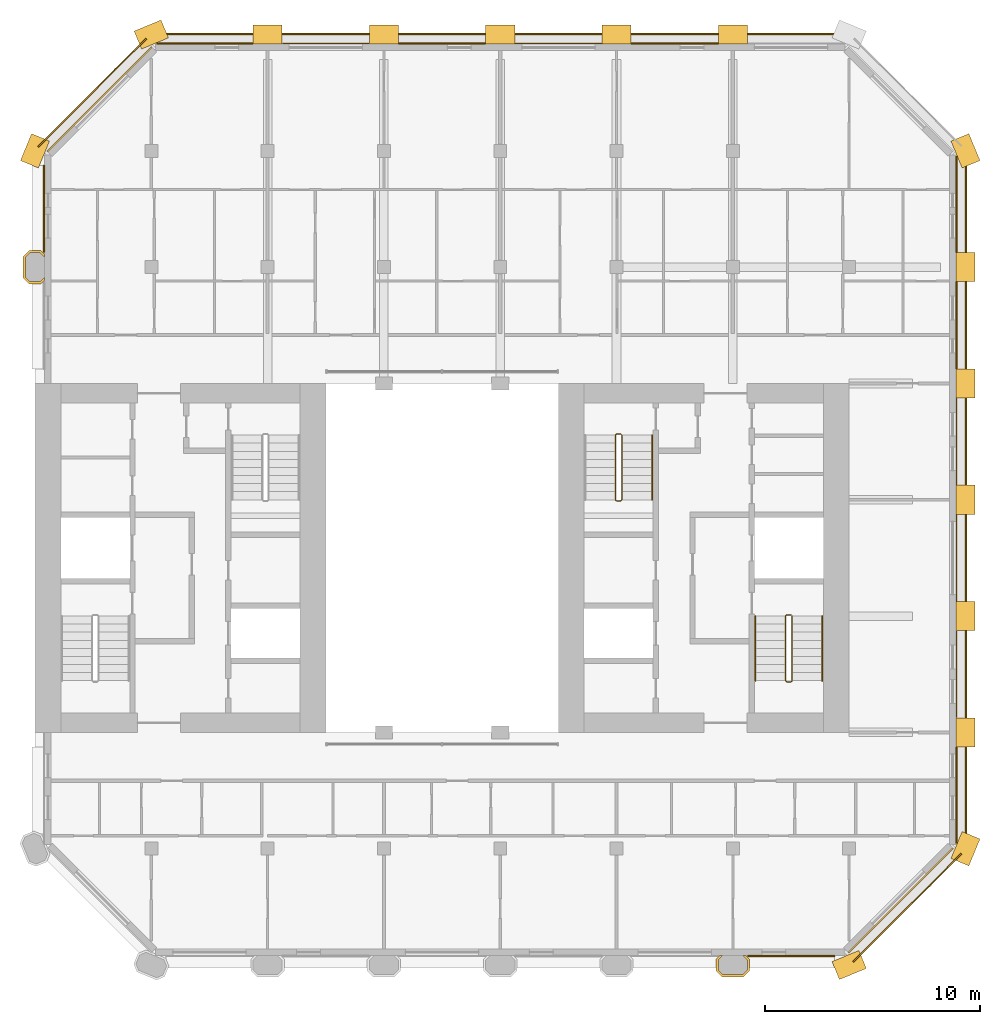
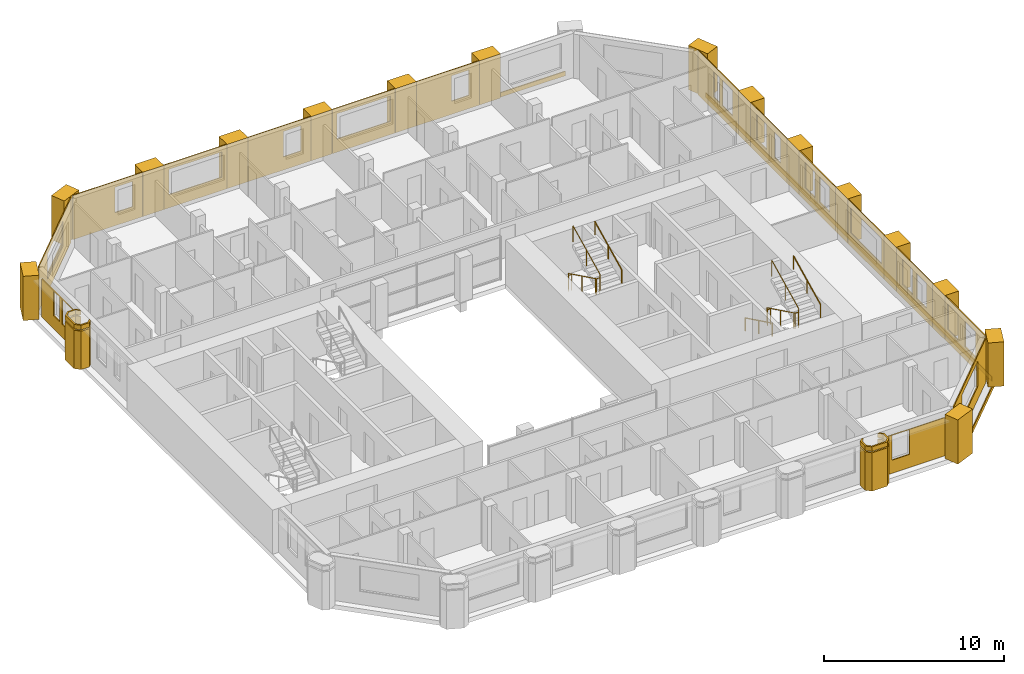
# One storey, part 12 of 13: 38 coverings, 5 railings.
"""IFC4 building model written with IfcOpenShell, lengths in metres."""

from ifc_helpers import new_model, si_unit, direction, frame, frame_2d, origin, origin_2d, place, context, subcontext, project, spatial, polyline, rectangle, circle, outline, extrude, material, layer, layer_set, type_object, element, save


model = new_model("IFC4")

# Units and contexts
model_context = context("Model", 3, precision=1e-05, world=origin(), true_north=direction((0.0, 1.0)))
body_context = subcontext(model_context, "Body", "Model", "MODEL_VIEW")
ifc_project = project(units=[si_unit("LENGTHUNIT", "METRE"), si_unit("AREAUNIT", "SQUARE_METRE"), si_unit("VOLUMEUNIT", "CUBIC_METRE"), si_unit("PLANEANGLEUNIT", "RADIAN"), si_unit("MASSUNIT", "GRAM", prefix="KILO")], contexts=[model_context])

# Site, building, storey
site_placement = place(None, origin())
site = spatial("IfcSite", under=ifc_project, at=site_placement, CompositionType="ELEMENT")
building_placement = place(site_placement, origin())
building = spatial("IfcBuilding", under=site, at=building_placement, Name="Tabaq Tower and Sports Hall", CompositionType="ELEMENT")
storey_placement = place(building_placement, frame((0.0, 0.0, 295.0)))
storey = spatial("IfcBuildingStorey", under=building, at=storey_placement, Name="L73", CompositionType="ELEMENT", Elevation=295.0)

# Coverings
ifc_material_1 = material(Name="Precast concrete C60/75", Category="concrete")
ifc_layer_1 = layer(ifc_material_1, 0.10009765625)
ifc_layer_set_1 = layer_set([ifc_layer_1], Name="Column cladding 100")
covering_type_1 = type_object("IfcCoveringType", Name="Column cladding 100", PredefinedType="CLADDING", material=ifc_layer_set_1)
covering_1_placement = place(storey_placement, origin())
element("IfcCovering", 1, at=covering_1_placement, inside=storey, type_object=covering_type_1, Name="Column cladding L73 PC-2H-R2", PredefinedType="CLADDING", context=body_context, shape_type="SweptSolid", body=[
    extrude(outline(polyline([(5.1337890625, 37.025390625), (4.850341796875, 37.30859375), (4.850341796875, 38.291259765625), (5.1337890625, 38.57470703125), (5.666259765625, 38.57470703125), (5.849609375, 38.391357421875), (5.849609375, 38.250732421875), (5.625244140625, 38.475341796875), (5.1748046875, 38.475341796875), (4.94970703125, 38.250244140625), (4.94970703125, 37.349853515625), (5.1748046875, 37.124755859375), (5.625244140625, 37.124755859375), (5.849609375, 37.349365234375), (5.849609375, 37.208740234375), (5.666259765625, 37.025390625), (5.1337890625, 37.025390625)])), origin(), (0.0, 0.0, 1.0), 2.60009765625),
])
covering_2_placement = place(storey_placement, frame((0.0, 0.0, 2.699951171875)))
element("IfcCovering", 2, at=covering_2_placement, inside=storey, type_object=covering_type_1, Name="Column cladding L73 PC-2H-R2 2", PredefinedType="CLADDING", context=body_context, shape_type="SweptSolid", body=[
    extrude(outline(polyline([(5.1337890625, 37.025390625), (4.850341796875, 37.30859375), (4.850341796875, 38.291259765625), (5.1337890625, 38.57470703125), (5.666259765625, 38.57470703125), (5.849609375, 38.391357421875), (5.849609375, 38.250732421875), (5.625244140625, 38.475341796875), (5.1748046875, 38.475341796875), (4.94970703125, 38.250244140625), (4.94970703125, 37.349853515625), (5.1748046875, 37.124755859375), (5.625244140625, 37.124755859375), (5.849609375, 37.349365234375), (5.849609375, 37.208740234375), (5.666259765625, 37.025390625), (5.1337890625, 37.025390625)])), origin(), (0.0, 0.0, 1.0), 0.300048828125),
])
covering_3_placement = place(storey_placement, origin())
element("IfcCovering", 3, at=covering_3_placement, inside=storey, type_object=covering_type_1, Name="Column cladding L73 PC-8B-R2", PredefinedType="CLADDING", context=body_context, shape_type="SweptSolid", body=[
    extrude(outline(polyline([(37.025390625, 5.666259765625), (37.208740234375, 5.849609375), (37.349365234375, 5.849609375), (37.124755859375, 5.625244140625), (37.124755859375, 5.1748046875), (37.349853515625, 4.94970703125), (38.250244140625, 4.94970703125), (38.475341796875, 5.1748046875), (38.475341796875, 5.625244140625), (38.250732421875, 5.849609375), (38.391357421875, 5.849609375), (38.57470703125, 5.666259765625), (38.57470703125, 5.1337890625), (38.291259765625, 4.850341796875), (37.30859375, 4.850341796875), (37.025390625, 5.1337890625), (37.025390625, 5.666259765625)])), origin(), (0.0, 0.0, 1.0), 2.60009765625),
])
covering_4_placement = place(storey_placement, frame((0.0, 0.0, 2.699951171875)))
element("IfcCovering", 4, at=covering_4_placement, inside=storey, type_object=covering_type_1, Name="Column cladding L73 PC-8B-R2 2", PredefinedType="CLADDING", context=body_context, shape_type="SweptSolid", body=[
    extrude(outline(polyline([(37.025390625, 5.666259765625), (37.208740234375, 5.849609375), (37.349365234375, 5.849609375), (37.124755859375, 5.625244140625), (37.124755859375, 5.1748046875), (37.349853515625, 4.94970703125), (38.250244140625, 4.94970703125), (38.475341796875, 5.1748046875), (38.475341796875, 5.625244140625), (38.250732421875, 5.849609375), (38.391357421875, 5.849609375), (38.57470703125, 5.666259765625), (38.57470703125, 5.1337890625), (38.291259765625, 4.850341796875), (37.30859375, 4.850341796875), (37.025390625, 5.1337890625), (37.025390625, 5.666259765625)])), origin(), (0.0, 0.0, 1.0), 0.300048828125),
])
ifc_material_2 = material(Name="Precast concrete C60/75", Category="concrete")
ifc_layer_2 = layer(ifc_material_2, 0.06005859375)
ifc_layer_set_2 = layer_set([ifc_layer_2], Name="Edge beam cladding 60")
covering_type_2 = type_object("IfcCoveringType", Name="Edge beam cladding 60", PredefinedType="CLADDING", material=ifc_layer_set_2)
covering_5_placement = place(storey_placement, frame((43.39794921875, 5.5556640625, -0.300048828125), z_axis=(0.0, 0.0, 1.0), x_axis=(0.707124002701, 0.707089559252, 0.0)))
element("IfcCovering", 5, at=covering_5_placement, inside=storey, type_object=covering_type_2, Name="Edge beam cladding L73 1", PredefinedType="CLADDING", context=body_context, shape_type="SweptSolid", body=[
    extrude(rectangle(XDim=7.088134765625, YDim=0.06005859375, at=frame_2d((3.5439453125, 0.0))), origin(), (0.0, 0.0, 1.0), 0.300048828125),
])
for number, where, z_axis, x_axis, name in (
    (6, (48.6298828125, 11.0986328125, -0.300048828125), (0.0, 0.0, 1.0), (0.0, 1.0, 0.0), "Edge beam cladding L73 2"),
    (7, (42.9013671875, 48.6298828125, -0.300048828125), (0.0, 0.0, 1.0), (-1.0, 0.0, 0.0), "Edge beam cladding L73 4"),
):
    element("IfcCovering", number, at=place(storey_placement, frame(where, z_axis=z_axis, x_axis=x_axis)), inside=storey, type_object=covering_type_2, Name=name, PredefinedType="CLADDING", context=body_context, shape_type="SweptSolid", body=[
        extrude(rectangle(XDim=31.802734375, YDim=0.06005859375, at=frame_2d((15.9013671875, 0.0))), origin(), (0.0, 0.0, 1.0), 0.300048828125),
    ])
covering_6_placement = place(storey_placement, frame((10.567626953125, 48.41015625, -0.300048828125), z_axis=(0.0, 0.0, 1.0), x_axis=(-0.707089559252, -0.707124002701, 0.0)))
element("IfcCovering", 8, at=covering_6_placement, inside=storey, type_object=covering_type_2, Name="Edge beam cladding L73 5", PredefinedType="CLADDING", context=body_context, shape_type="SweptSolid", body=[
    extrude(rectangle(XDim=7.088134765625, YDim=0.06005859375, at=frame_2d((3.5439453125, 0.0))), origin(), (0.0, 0.0, 1.0), 0.300048828125),
])
ifc_material_3 = material(Name="White precast concrete C60/75", Category="concrete")
covering_type_3 = type_object("IfcCoveringType", Name="Pier cladding hung 1350x900", PredefinedType="CLADDING", material=ifc_material_3)
for number, where, z_axis, x_axis, name in (
    (9, (5.658203125, 43.82373046875, 0.0), (0.0, 0.0, 1.0), (-0.382649923473, -0.923893411637, 0.0), "Hung pier cladding 1/8"),
    (10, (11.423583984375, 48.8583984375, 0.0), (0.0, 0.0, 1.0), (-0.923893411637, -0.382649923473, 0.0), "Hung pier cladding 2/9"),
    (11, (16.875, 48.60009765625, 0.0), (0.0, 0.0, 1.0), (-1.0, 0.0, 0.0), "Hung pier cladding 3/9"),
):
    element("IfcCovering", number, at=place(storey_placement, frame(where, z_axis=z_axis, x_axis=x_axis)), inside=storey, type_object=covering_type_3, Name=name, PredefinedType="CLADDING", context=body_context, shape_type="SweptSolid", body=[
        extrude(rectangle(XDim=1.35009765625, YDim=0.89990234375, at=frame_2d((0.675048828125, 0.0))), origin(), (0.0, 0.0, 1.0), 3.0),
    ])
covering_7_placement = place(storey_placement, frame((22.27490234375, 48.60009765625, 0.0), z_axis=(0.0, 0.0, 1.0), x_axis=(-1.0, 0.0, 0.0)))
element("IfcCovering", 12, at=covering_7_placement, inside=storey, type_object=covering_type_3, Name="Hung pier cladding 4/9", PredefinedType="CLADDING", context=body_context, shape_type="SweptSolid", body=[
    extrude(rectangle(XDim=1.349853515625, YDim=0.89990234375, at=frame_2d((0.6748046875, 0.0))), origin(), (0.0, 0.0, 1.0), 3.0),
])
covering_8_placement = place(storey_placement, frame((27.675048828125, 48.60009765625, 0.0), z_axis=(0.0, 0.0, 1.0), x_axis=(-1.0, 0.0, 0.0)))
element("IfcCovering", 13, at=covering_8_placement, inside=storey, type_object=covering_type_3, Name="Hung pier cladding 5/9", PredefinedType="CLADDING", context=body_context, shape_type="SweptSolid", body=[
    extrude(rectangle(XDim=1.35009765625, YDim=0.89990234375, at=frame_2d((0.675048828125, 0.0))), origin(), (0.0, 0.0, 1.0), 3.0),
])
covering_9_placement = place(storey_placement, frame((33.074951171875, 48.60009765625, 0.0), z_axis=(0.0, 0.0, 1.0), x_axis=(-1.0, 0.0, 0.0)))
element("IfcCovering", 14, at=covering_9_placement, inside=storey, type_object=covering_type_3, Name="Hung pier cladding 6/9", PredefinedType="CLADDING", context=body_context, shape_type="SweptSolid", body=[
    extrude(rectangle(XDim=1.349853515625, YDim=0.89990234375, at=frame_2d((0.6748046875, 0.0))), origin(), (0.0, 0.0, 1.0), 3.0),
])
for number, where, z_axis, x_axis, name in (
    (15, (38.47509765625, 48.60009765625, 0.0), (0.0, 0.0, 1.0), (-1.0, 0.0, 0.0), "Hung pier cladding 7/9"),
    (16, (42.576416015625, 5.1416015625, 0.0), (0.0, 0.0, 1.0), (0.923893411637, 0.382649923473, 0.0), "Hung pier cladding 8/1"),
    (17, (48.341796875, 10.17626953125, 0.0), (0.0, 0.0, 1.0), (0.382649923473, 0.923893411637, 0.0), "Hung pier cladding 9/2"),
    (18, (48.60009765625, 15.52490234375, 0.0), (0.0, 0.0, 1.0), (0.0, 1.0, 0.0), "Hung pier cladding 9/3"),
):
    element("IfcCovering", number, at=place(storey_placement, frame(where, z_axis=z_axis, x_axis=x_axis)), inside=storey, type_object=covering_type_3, Name=name, PredefinedType="CLADDING", context=body_context, shape_type="SweptSolid", body=[
        extrude(rectangle(XDim=1.35009765625, YDim=0.89990234375, at=frame_2d((0.675048828125, 0.0))), origin(), (0.0, 0.0, 1.0), 3.0),
    ])
covering_10_placement = place(storey_placement, frame((48.60009765625, 20.925048828125, 0.0), z_axis=(0.0, 0.0, 1.0), x_axis=(0.0, 1.0, 0.0)))
element("IfcCovering", 19, at=covering_10_placement, inside=storey, type_object=covering_type_3, Name="Hung pier cladding 9/4", PredefinedType="CLADDING", context=body_context, shape_type="SweptSolid", body=[
    extrude(rectangle(XDim=1.349853515625, YDim=0.89990234375, at=frame_2d((0.6748046875, 0.0))), origin(), (0.0, 0.0, 1.0), 3.0),
])
covering_11_placement = place(storey_placement, frame((48.60009765625, 26.324951171875, 0.0), z_axis=(0.0, 0.0, 1.0), x_axis=(0.0, 1.0, 0.0)))
element("IfcCovering", 20, at=covering_11_placement, inside=storey, type_object=covering_type_3, Name="Hung pier cladding 9/5", PredefinedType="CLADDING", context=body_context, shape_type="SweptSolid", body=[
    extrude(rectangle(XDim=1.35009765625, YDim=0.89990234375, at=frame_2d((0.675048828125, 0.0))), origin(), (0.0, 0.0, 1.0), 3.0),
])
covering_12_placement = place(storey_placement, frame((48.60009765625, 31.72509765625, 0.0), z_axis=(0.0, 0.0, 1.0), x_axis=(0.0, 1.0, 0.0)))
element("IfcCovering", 21, at=covering_12_placement, inside=storey, type_object=covering_type_3, Name="Hung pier cladding 9/6", PredefinedType="CLADDING", context=body_context, shape_type="SweptSolid", body=[
    extrude(rectangle(XDim=1.349853515625, YDim=0.89990234375, at=frame_2d((0.6748046875, 0.0))), origin(), (0.0, 0.0, 1.0), 3.0),
])
for number, where, z_axis, x_axis, name in (
    (22, (48.60009765625, 37.125, 0.0), (0.0, 0.0, 1.0), (0.0, 1.0, 0.0), "Hung pier cladding 9/7"),
    (23, (48.8583984375, 42.576416015625, 0.0), (0.0, 0.0, 1.0), (-0.382649923473, 0.923893411637, 0.0), "Hung pier cladding 9/8"),
):
    element("IfcCovering", number, at=place(storey_placement, frame(where, z_axis=z_axis, x_axis=x_axis)), inside=storey, type_object=covering_type_3, Name=name, PredefinedType="CLADDING", context=body_context, shape_type="SweptSolid", body=[
        extrude(rectangle(XDim=1.35009765625, YDim=0.89990234375, at=frame_2d((0.675048828125, 0.0))), origin(), (0.0, 0.0, 1.0), 3.0),
    ])

# Railings
ifc_material_4 = material(Name="Stainless steel", Category="steel")
railing_type_1 = type_object("IfcRailingType", Name="Stair guard", PredefinedType="GUARDRAIL", material=ifc_material_4)
railing_1_placement = place(storey_placement, frame((40.5, 21.64990234375, 0.0)))
element("IfcRailing", 24, at=railing_1_placement, inside=storey, type_object=railing_type_1, Name="L73 ST3 stair guard 1", PredefinedType="GUARDRAIL", context=body_context, shape_type="SweptSolid", body=[
    extrude(circle(Radius=0.02392578125, at=origin_2d()), frame((0.0, 0.0, 1.076171875), z_axis=(-1.0, 0.0, 0.0), x_axis=(0.0, -1.0, 0.0)), (0.0, 0.0, 1.0), 0.199951171875),
    extrude(circle(Radius=0.02392578125, at=origin_2d()), frame((-0.199951171875, 0.0, 1.076171875), z_axis=(-0.254733673405, -0.25349107012, 0.933195066962), x_axis=(0.705375805398, -0.708833529934, 0.0)), (0.0, 0.0, 1.0), 0.196533203125),
    extrude(circle(Radius=0.02392578125, at=origin_2d()), frame((-0.25, -0.0498046875, 1.25927734375), z_axis=(0.0, -0.898397823093, 0.439182594671), x_axis=(1.0, 0.0, 0.0)), (0.0, 0.0, 1.0), 3.33935546875),
    extrude(circle(Radius=0.02392578125, at=origin_2d()), frame((-0.25, -3.0498046875, 2.72607421875), z_axis=(0.707106781187, -0.707106781187, 0.0), x_axis=(0.707106781187, 0.707106781187, 0.0)), (0.0, 0.0, 1.0), 0.07080078125),
    extrude(circle(Radius=0.02392578125, at=origin_2d()), frame((-0.199951171875, -3.099853515625, 2.72607421875), z_axis=(1.0, 0.0, 0.0), x_axis=(0.0, 1.0, 0.0)), (0.0, 0.0, 1.0), 0.199951171875),
    extrude(circle(Radius=0.02392578125, at=origin_2d()), frame((0.0, -3.099853515625, 2.72607421875), z_axis=(0.254653276557, 0.254653276557, 0.932900539971), x_axis=(-0.707106781187, 0.707106781187, 0.0)), (0.0, 0.0, 1.0), 0.196533203125),
    extrude(circle(Radius=0.02392578125, at=origin_2d()), frame((0.050048828125, -3.0498046875, 2.9091796875), z_axis=(0.0, 0.898368975038, 0.439241601728), x_axis=(-1.0, 0.0, 0.0)), (0.0, 0.0, 1.0), 3.33935546875),
    extrude(circle(Radius=0.02099609375, at=origin_2d()), origin(), (0.0, 0.0, 1.0), 1.052001953125),
    extrude(circle(Radius=0.02099609375, at=origin_2d()), frame((-0.199951171875, 0.0, 0.0)), (0.0, 0.0, 1.0), 1.052001953125),
    extrude(circle(Radius=0.02099609375, at=origin_2d()), frame((-0.25, -0.0498046875, 0.183349609375)), (0.0, 0.0, 1.0), 1.052001953125),
    extrude(circle(Radius=0.02099609375, at=origin_2d()), frame((-0.25, -1.5498046875, 0.91650390625)), (0.0, 0.0, 1.0), 1.052001953125),
    extrude(circle(Radius=0.02099609375, at=origin_2d()), frame((-0.25, -3.0498046875, 1.64990234375)), (0.0, 0.0, 1.0), 1.052001953125),
    extrude(circle(Radius=0.02099609375, at=origin_2d()), frame((-0.199951171875, -3.099853515625, 1.64990234375)), (0.0, 0.0, 1.0), 1.052001953125),
    extrude(circle(Radius=0.02099609375, at=origin_2d()), frame((0.0, -3.099853515625, 1.64990234375)), (0.0, 0.0, 1.0), 1.052001953125),
    extrude(circle(Radius=0.02099609375, at=origin_2d()), frame((0.050048828125, -3.0498046875, 1.833251953125)), (0.0, 0.0, 1.0), 1.052001953125),
    extrude(circle(Radius=0.02099609375, at=origin_2d()), frame((0.050048828125, -1.5498046875, 2.566650390625)), (0.0, 0.0, 1.0), 1.052001953125),
    extrude(circle(Radius=0.02099609375, at=origin_2d()), frame((0.050048828125, -0.0498046875, 3.300048828125)), (0.0, 0.0, 1.0), 1.052001953125),
])
railing_2_placement = place(storey_placement, frame((32.60009765625, 30.050048828125, 0.0)))
element("IfcRailing", 25, at=railing_2_placement, inside=storey, type_object=railing_type_1, Name="L73 ST4 stair guard 1", PredefinedType="GUARDRAIL", context=body_context, shape_type="SweptSolid", body=[
    extrude(circle(Radius=0.02392578125, at=origin_2d()), frame((0.0, 0.0, 1.076171875), z_axis=(-1.0, 0.0, 0.0), x_axis=(0.0, -1.0, 0.0)), (0.0, 0.0, 1.0), 0.2001953125),
    extrude(circle(Radius=0.02392578125, at=origin_2d()), frame((-0.2001953125, 0.0, 1.076171875), z_axis=(-0.25349107012, -0.254733673405, 0.933195066962), x_axis=(0.708833529934, -0.705375805398, 0.0)), (0.0, 0.0, 1.0), 0.196533203125),
    extrude(circle(Radius=0.02392578125, at=origin_2d()), frame((-0.25, -0.050048828125, 1.25927734375), z_axis=(0.0, -0.898397823093, 0.439182594671), x_axis=(1.0, 0.0, 0.0)), (0.0, 0.0, 1.0), 3.33935546875),
    extrude(circle(Radius=0.02392578125, at=origin_2d()), frame((-0.25, -3.050048828125, 2.72607421875), z_axis=(0.705375805398, -0.708833529934, 0.0), x_axis=(0.708833529934, 0.705375805398, 0.0)), (0.0, 0.0, 1.0), 0.070556640625),
    extrude(circle(Radius=0.02392578125, at=origin_2d()), frame((-0.2001953125, -3.10009765625, 2.72607421875), z_axis=(1.0, 0.0, 0.0), x_axis=(0.0, 1.0, 0.0)), (0.0, 0.0, 1.0), 0.2001953125),
    extrude(circle(Radius=0.02392578125, at=origin_2d()), frame((0.0, -3.10009765625, 2.72607421875), z_axis=(0.25349107012, 0.254733673405, 0.933195066962), x_axis=(-0.708833529934, 0.705375805398, 0.0)), (0.0, 0.0, 1.0), 0.196533203125),
    extrude(circle(Radius=0.02392578125, at=origin_2d()), frame((0.0498046875, -3.050048828125, 2.9091796875), z_axis=(0.0, 0.898368975038, 0.439241601728), x_axis=(-1.0, 0.0, 0.0)), (0.0, 0.0, 1.0), 3.33935546875),
    extrude(circle(Radius=0.02099609375, at=origin_2d()), origin(), (0.0, 0.0, 1.0), 1.052001953125),
    extrude(circle(Radius=0.02099609375, at=origin_2d()), frame((-0.2001953125, 0.0, 0.0)), (0.0, 0.0, 1.0), 1.052001953125),
    extrude(circle(Radius=0.02099609375, at=origin_2d()), frame((-0.25, -0.050048828125, 0.183349609375)), (0.0, 0.0, 1.0), 1.052001953125),
    extrude(circle(Radius=0.02099609375, at=origin_2d()), frame((-0.25, -1.550048828125, 0.91650390625)), (0.0, 0.0, 1.0), 1.052001953125),
    extrude(circle(Radius=0.02099609375, at=origin_2d()), frame((-0.25, -3.050048828125, 1.64990234375)), (0.0, 0.0, 1.0), 1.052001953125),
    extrude(circle(Radius=0.02099609375, at=origin_2d()), frame((-0.2001953125, -3.10009765625, 1.64990234375)), (0.0, 0.0, 1.0), 1.052001953125),
    extrude(circle(Radius=0.02099609375, at=origin_2d()), frame((0.0, -3.10009765625, 1.64990234375)), (0.0, 0.0, 1.0), 1.052001953125),
    extrude(circle(Radius=0.02099609375, at=origin_2d()), frame((0.0498046875, -3.050048828125, 1.833251953125)), (0.0, 0.0, 1.0), 1.052001953125),
    extrude(circle(Radius=0.02099609375, at=origin_2d()), frame((0.0498046875, -1.550048828125, 2.566650390625)), (0.0, 0.0, 1.0), 1.052001953125),
    extrude(circle(Radius=0.02099609375, at=origin_2d()), frame((0.0498046875, -0.050048828125, 3.300048828125)), (0.0, 0.0, 1.0), 1.052001953125),
])
ifc_material_5 = material(Name="Stainless steel", Category="steel")
railing_type_2 = type_object("IfcRailingType", Name="Stair handrail", PredefinedType="HANDRAIL", material=ifc_material_5)
railing_3_placement = place(storey_placement, frame((38.85009765625, 21.60009765625, 0.183349609375)))
element("IfcRailing", 26, at=railing_3_placement, inside=storey, type_object=railing_type_2, Name="L73 ST3 stair handrail 1", PredefinedType="HANDRAIL", context=body_context, shape_type="SweptSolid", body=[
    extrude(circle(Radius=0.02392578125, at=origin_2d()), frame((0.0, 0.0, 0.8759765625), z_axis=(0.0, -0.898397823093, 0.439182594671), x_axis=(1.0, 0.0, 0.0)), (0.0, 0.0, 1.0), 3.33935546875),
    extrude(circle(Radius=0.02099609375, at=origin_2d()), origin(), (0.0, 0.0, 1.0), 0.851806640625),
    extrude(circle(Radius=0.02099609375, at=origin_2d()), frame((0.0, -1.5, 0.7333984375)), (0.0, 0.0, 1.0), 0.851806640625),
    extrude(circle(Radius=0.02099609375, at=origin_2d()), frame((0.0, -3.0, 1.466552734375)), (0.0, 0.0, 1.0), 0.851806640625),
])
for number, where, name in (
    (27, (41.949951171875, 18.60009765625, 1.833251953125), "L73 ST3 stair handrail 2"),
    (28, (34.050048828125, 27.0, 1.833251953125), "L73 ST4 stair handrail 2"),
):
    element("IfcRailing", number, at=place(storey_placement, frame(where)), inside=storey, type_object=railing_type_2, Name=name, PredefinedType="HANDRAIL", context=body_context, shape_type="SweptSolid", body=[
        extrude(circle(Radius=0.02392578125, at=origin_2d()), frame((0.0, 0.0, 0.8759765625), z_axis=(0.0, 0.898368975038, 0.439241601728), x_axis=(-1.0, 0.0, 0.0)), (0.0, 0.0, 1.0), 3.33935546875),
        extrude(circle(Radius=0.02099609375, at=origin_2d()), origin(), (0.0, 0.0, 1.0), 0.851806640625),
        extrude(circle(Radius=0.02099609375, at=origin_2d()), frame((0.0, 1.5, 0.7333984375)), (0.0, 0.0, 1.0), 0.851806640625),
        extrude(circle(Radius=0.02099609375, at=origin_2d()), frame((0.0, 3.0, 1.466796875)), (0.0, 0.0, 1.0), 0.851806640625),
    ])

# Coverings
ifc_material_6 = material(Name="Precast concrete C60/75", Category="concrete")
ifc_layer_3 = layer(ifc_material_6, 0.06005859375)
ifc_layer_set_3 = layer_set([ifc_layer_3], Name="White precast cladding panel 60 C60/75")
covering_type_4 = type_object("IfcCoveringType", Name="White precast cladding panel 60 C60/75", PredefinedType="CLADDING", material=ifc_layer_set_3)
covering_13_placement = place(storey_placement, frame((38.485107421875, 5.820068359375, 0.0), z_axis=(0.0, 0.0, 1.0), x_axis=(1.0, 0.0, 0.0)))
element("IfcCovering", 29, at=covering_13_placement, inside=storey, type_object=covering_type_4, Name="White precast cladding panel L73 wall00 6", PredefinedType="CLADDING", context=body_context, shape_type="SweptSolid", body=[
    extrude(outline(polyline([(0.0, 0.0), (4.0498046875, 0.0), (4.0498046875, 2.590087890625), (0.0, 2.590087890625), (0.0, 0.0)]), holes=[polyline([(1.77490234375, 0.889892578125), (0.655029296875, 0.889892578125), (0.655029296875, 2.56005859375), (1.77490234375, 2.56005859375), (1.77490234375, 0.889892578125)])]), frame((0.0, 0.030029296875, 0.0), z_axis=(0.0, -1.0, 0.0), x_axis=(1.0, 0.0, 0.0)), (0.0, 0.0, 1.0), 0.06005859375),
])
covering_14_placement = place(storey_placement, frame((43.177734375, 5.9716796875, 0.0), z_axis=(0.0, 0.0, 1.0), x_axis=(0.707106781187, 0.707106781187, 0.0)))
element("IfcCovering", 30, at=covering_14_placement, inside=storey, type_object=covering_type_4, Name="White precast cladding panel L73 wall01", PredefinedType="CLADDING", context=body_context, shape_type="SweptSolid", body=[
    extrude(outline(polyline([(0.0, 0.0), (6.85986328125, 0.0), (6.85986328125, 3.0), (0.0, 3.0), (0.0, 0.0)]), holes=[polyline([(1.7197265625, 0.889892578125), (1.7197265625, 2.610107421875), (5.139892578125, 2.610107421875), (5.139892578125, 0.889892578125), (1.7197265625, 0.889892578125)])]), frame((0.0, 0.030029296875, 0.0), z_axis=(0.0, -1.0, 0.0), x_axis=(1.0, 0.0, 0.0)), (0.0, 0.0, 1.0), 0.06005859375),
])
covering_15_placement = place(storey_placement, frame((48.179931640625, 11.043212890625, 0.0), z_axis=(0.0, 0.0, 1.0), x_axis=(0.0, 1.0, 0.0)))
element("IfcCovering", 31, at=covering_15_placement, inside=storey, type_object=covering_type_4, Name="White precast cladding panel L73 wall02", PredefinedType="CLADDING", context=body_context, shape_type="SweptSolid", body=[
    extrude(outline(polyline([(0.0, 0.0), (4.4716796875, 0.0), (4.4716796875, 3.0), (0.0, 3.0), (0.0, 0.0)]), holes=[polyline([(1.096923828125, 2.610107421875), (2.216796875, 2.610107421875), (2.216796875, 0.889892578125), (1.096923828125, 0.889892578125), (1.096923828125, 2.610107421875)]), polyline([(3.046875, 2.610107421875), (4.166748046875, 2.610107421875), (4.166748046875, 0.889892578125), (3.046875, 0.889892578125), (3.046875, 2.610107421875)])]), frame((0.0, 0.030029296875, 0.0), z_axis=(0.0, -1.0, 0.0), x_axis=(1.0, 0.0, 0.0)), (0.0, 0.0, 1.0), 0.06005859375),
])
covering_16_placement = place(storey_placement, frame((48.179931640625, 16.885009765625, 0.0), z_axis=(0.0, 0.0, 1.0), x_axis=(0.0, 1.0, 0.0)))
element("IfcCovering", 32, at=covering_16_placement, inside=storey, type_object=covering_type_4, Name="White precast cladding panel L73 wall02 2", PredefinedType="CLADDING", context=body_context, shape_type="SweptSolid", body=[
    extrude(outline(polyline([(0.0, 0.0), (4.030029296875, 0.0), (4.030029296875, 3.0), (0.0, 3.0), (0.0, 0.0)]), holes=[polyline([(0.655029296875, 2.610107421875), (1.77490234375, 2.610107421875), (1.77490234375, 0.889892578125), (0.655029296875, 0.889892578125), (0.655029296875, 2.610107421875)]), polyline([(2.2548828125, 2.610107421875), (3.375, 2.610107421875), (3.375, 0.889892578125), (2.2548828125, 0.889892578125), (2.2548828125, 2.610107421875)])]), frame((0.0, 0.030029296875, 0.0), z_axis=(0.0, -1.0, 0.0), x_axis=(1.0, 0.0, 0.0)), (0.0, 0.0, 1.0), 0.06005859375),
])
covering_17_placement = place(storey_placement, frame((48.179931640625, 22.284912109375, 0.0), z_axis=(0.0, 0.0, 1.0), x_axis=(0.0, 1.0, 0.0)))
element("IfcCovering", 33, at=covering_17_placement, inside=storey, type_object=covering_type_4, Name="White precast cladding panel L73 wall02 3", PredefinedType="CLADDING", context=body_context, shape_type="SweptSolid", body=[
    extrude(outline(polyline([(0.0, 0.0), (4.030029296875, 0.0), (4.030029296875, 3.0), (0.0, 3.0), (0.0, 0.0)]), holes=[polyline([(0.304931640625, 0.889892578125), (0.304931640625, 2.610107421875), (3.72509765625, 2.610107421875), (3.72509765625, 0.889892578125), (0.304931640625, 0.889892578125)])]), frame((0.0, 0.030029296875, 0.0), z_axis=(0.0, -1.0, 0.0), x_axis=(1.0, 0.0, 0.0)), (0.0, 0.0, 1.0), 0.06005859375),
])
covering_18_placement = place(storey_placement, frame((48.179931640625, 27.68505859375, 0.0), z_axis=(0.0, 0.0, 1.0), x_axis=(0.0, 1.0, 0.0)))
element("IfcCovering", 34, at=covering_18_placement, inside=storey, type_object=covering_type_4, Name="White precast cladding panel L73 wall02 4", PredefinedType="CLADDING", context=body_context, shape_type="SweptSolid", body=[
    extrude(outline(polyline([(0.0, 0.0), (4.030029296875, 0.0), (4.030029296875, 3.0), (0.0, 3.0), (0.0, 0.0)]), holes=[polyline([(0.655029296875, 2.610107421875), (1.77490234375, 2.610107421875), (1.77490234375, 0.889892578125), (0.655029296875, 0.889892578125), (0.655029296875, 2.610107421875)]), polyline([(2.2548828125, 2.610107421875), (3.375, 2.610107421875), (3.375, 0.889892578125), (2.2548828125, 0.889892578125), (2.2548828125, 2.610107421875)])]), frame((0.0, 0.030029296875, 0.0), z_axis=(0.0, -1.0, 0.0), x_axis=(1.0, 0.0, 0.0)), (0.0, 0.0, 1.0), 0.06005859375),
])
covering_19_placement = place(storey_placement, frame((48.179931640625, 33.0849609375, 0.0), z_axis=(0.0, 0.0, 1.0), x_axis=(0.0, 1.0, 0.0)))
element("IfcCovering", 35, at=covering_19_placement, inside=storey, type_object=covering_type_4, Name="White precast cladding panel L73 wall02 5", PredefinedType="CLADDING", context=body_context, shape_type="SweptSolid", body=[
    extrude(outline(polyline([(0.0, 0.0), (4.030029296875, 0.0), (4.030029296875, 3.0), (0.0, 3.0), (0.0, 0.0)]), holes=[polyline([(0.72998046875, 2.610107421875), (1.39990234375, 2.610107421875), (1.39990234375, 0.889892578125), (0.72998046875, 0.889892578125), (0.72998046875, 2.610107421875)]), polyline([(2.2548828125, 2.610107421875), (3.375, 2.610107421875), (3.375, 0.889892578125), (2.2548828125, 0.889892578125), (2.2548828125, 2.610107421875)])]), frame((0.0, 0.030029296875, 0.0), z_axis=(0.0, -1.0, 0.0), x_axis=(1.0, 0.0, 0.0)), (0.0, 0.0, 1.0), 0.06005859375),
])
covering_20_placement = place(storey_placement, frame((48.179931640625, 38.485107421875, 0.0), z_axis=(0.0, 0.0, 1.0), x_axis=(0.0, 1.0, 0.0)))
element("IfcCovering", 36, at=covering_20_placement, inside=storey, type_object=covering_type_4, Name="White precast cladding panel L73 wall02 6", PredefinedType="CLADDING", context=body_context, shape_type="SweptSolid", body=[
    extrude(outline(polyline([(0.0, 0.0), (4.4716796875, 0.0), (4.4716796875, 3.0), (0.0, 3.0), (0.0, 0.0)]), holes=[polyline([(0.655029296875, 2.610107421875), (1.77490234375, 2.610107421875), (1.77490234375, 0.889892578125), (0.655029296875, 0.889892578125), (0.655029296875, 2.610107421875)]), polyline([(2.080078125, 2.610107421875), (2.75, 2.610107421875), (2.75, 0.889892578125), (2.080078125, 0.889892578125), (2.080078125, 2.610107421875)])]), frame((0.0, 0.030029296875, 0.0), z_axis=(0.0, -1.0, 0.0), x_axis=(1.0, 0.0, 0.0)), (0.0, 0.0, 1.0), 0.06005859375),
])
covering_21_placement = place(storey_placement, frame((37.114990234375, 48.179931640625, 0.0), z_axis=(0.0, 0.0, 1.0), x_axis=(-1.0, 0.0, 0.0)))
element("IfcCovering", 37, at=covering_21_placement, inside=storey, type_object=covering_type_4, Name="White precast cladding panel L73 wall04 2", PredefinedType="CLADDING", context=body_context, shape_type="SweptSolid", body=[
    extrude(outline(polyline([(0.0, 0.0), (4.030029296875, 0.0), (4.030029296875, 3.0), (0.0, 3.0), (0.0, 0.0)]), holes=[polyline([(0.655029296875, 0.889892578125), (0.655029296875, 2.610107421875), (1.77490234375, 2.610107421875), (1.77490234375, 0.889892578125), (0.655029296875, 0.889892578125)])]), frame((0.0, 0.030029296875, 0.0), z_axis=(0.0, -1.0, 0.0), x_axis=(1.0, 0.0, 0.0)), (0.0, 0.0, 1.0), 0.06005859375),
])
covering_22_placement = place(storey_placement, frame((31.715087890625, 48.179931640625, 0.0), z_axis=(0.0, 0.0, 1.0), x_axis=(-1.0, 0.0, 0.0)))
element("IfcCovering", 38, at=covering_22_placement, inside=storey, type_object=covering_type_4, Name="White precast cladding panel L73 wall04 3", PredefinedType="CLADDING", context=body_context, shape_type="SweptSolid", body=[
    extrude(outline(polyline([(0.0, 0.0), (4.030029296875, 0.0), (4.030029296875, 3.0), (0.0, 3.0), (0.0, 0.0)]), holes=[polyline([(0.304931640625, 0.889892578125), (0.304931640625, 2.610107421875), (3.72509765625, 2.610107421875), (3.72509765625, 0.889892578125), (0.304931640625, 0.889892578125)])]), frame((0.0, 0.030029296875, 0.0), z_axis=(0.0, -1.0, 0.0), x_axis=(1.0, 0.0, 0.0)), (0.0, 0.0, 1.0), 0.06005859375),
])
covering_23_placement = place(storey_placement, frame((26.31494140625, 48.179931640625, 0.0), z_axis=(0.0, 0.0, 1.0), x_axis=(-1.0, 0.0, 0.0)))
element("IfcCovering", 39, at=covering_23_placement, inside=storey, type_object=covering_type_4, Name="White precast cladding panel L73 wall04 4", PredefinedType="CLADDING", context=body_context, shape_type="SweptSolid", body=[
    extrude(outline(polyline([(0.0, 0.0), (4.030029296875, 0.0), (4.030029296875, 3.0), (0.0, 3.0), (0.0, 0.0)]), holes=[polyline([(0.655029296875, 0.889892578125), (0.655029296875, 2.610107421875), (1.77490234375, 2.610107421875), (1.77490234375, 0.889892578125), (0.655029296875, 0.889892578125)])]), frame((0.0, 0.030029296875, 0.0), z_axis=(0.0, -1.0, 0.0), x_axis=(1.0, 0.0, 0.0)), (0.0, 0.0, 1.0), 0.06005859375),
])
covering_24_placement = place(storey_placement, frame((20.9150390625, 48.179931640625, 0.0), z_axis=(0.0, 0.0, 1.0), x_axis=(-1.0, 0.0, 0.0)))
element("IfcCovering", 40, at=covering_24_placement, inside=storey, type_object=covering_type_4, Name="White precast cladding panel L73 wall04 5", PredefinedType="CLADDING", context=body_context, shape_type="SweptSolid", body=[
    extrude(outline(polyline([(0.0, 0.0), (4.030029296875, 0.0), (4.030029296875, 3.0), (0.0, 3.0), (0.0, 0.0)]), holes=[polyline([(0.304931640625, 0.889892578125), (0.304931640625, 2.610107421875), (3.72509765625, 2.610107421875), (3.72509765625, 0.889892578125), (0.304931640625, 0.889892578125)])]), frame((0.0, 0.030029296875, 0.0), z_axis=(0.0, -1.0, 0.0), x_axis=(1.0, 0.0, 0.0)), (0.0, 0.0, 1.0), 0.06005859375),
])
covering_25_placement = place(storey_placement, frame((15.514892578125, 48.179931640625, 0.0), z_axis=(0.0, 0.0, 1.0), x_axis=(-1.0, 0.0, 0.0)))
element("IfcCovering", 41, at=covering_25_placement, inside=storey, type_object=covering_type_4, Name="White precast cladding panel L73 wall04 6", PredefinedType="CLADDING", context=body_context, shape_type="SweptSolid", body=[
    extrude(outline(polyline([(0.0, 0.0), (4.4716796875, 0.0), (4.4716796875, 3.0), (0.0, 3.0), (0.0, 0.0)]), holes=[polyline([(0.655029296875, 0.889892578125), (0.655029296875, 2.610107421875), (1.77490234375, 2.610107421875), (1.77490234375, 0.889892578125), (0.655029296875, 0.889892578125)])]), frame((0.0, 0.030029296875, 0.0), z_axis=(0.0, -1.0, 0.0), x_axis=(1.0, 0.0, 0.0)), (0.0, 0.0, 1.0), 0.06005859375),
])
covering_26_placement = place(storey_placement, frame((10.822265625, 48.0283203125, 0.0), z_axis=(0.0, 0.0, 1.0), x_axis=(-0.707106781187, -0.707106781187, 0.0)))
element("IfcCovering", 42, at=covering_26_placement, inside=storey, type_object=covering_type_4, Name="White precast cladding panel L73 wall05", PredefinedType="CLADDING", context=body_context, shape_type="SweptSolid", body=[
    extrude(outline(polyline([(0.0, 0.0), (6.85986328125, 0.0), (6.85986328125, 3.0), (0.0, 3.0), (0.0, 0.0)]), holes=[polyline([(1.7197265625, 0.889892578125), (1.7197265625, 2.610107421875), (5.139892578125, 2.610107421875), (5.139892578125, 0.889892578125), (1.7197265625, 0.889892578125)])]), frame((0.0, 0.030029296875, 0.0), z_axis=(0.0, -1.0, 0.0), x_axis=(1.0, 0.0, 0.0)), (0.0, 0.0, 1.0), 0.06005859375),
])
covering_27_placement = place(storey_placement, frame((5.820068359375, 42.534912109375, 0.0), z_axis=(0.0, 0.0, 1.0), x_axis=(0.0, -1.0, 0.0)))
element("IfcCovering", 43, at=covering_27_placement, inside=storey, type_object=covering_type_4, Name="White precast cladding panel L73 wall06", PredefinedType="CLADDING", context=body_context, shape_type="SweptSolid", body=[
    extrude(outline(polyline([(0.0, 0.0), (4.0498046875, 0.0), (4.0498046875, 2.590087890625), (0.0, 2.590087890625), (0.0, 0.0)]), holes=[polyline([(1.300048828125, 0.889892578125), (1.300048828125, 2.56005859375), (1.969970703125, 2.56005859375), (1.969970703125, 0.889892578125), (1.300048828125, 0.889892578125)]), polyline([(2.27490234375, 0.889892578125), (2.27490234375, 2.56005859375), (3.39501953125, 2.56005859375), (3.39501953125, 0.889892578125), (2.27490234375, 0.889892578125)])]), frame((0.0, 0.030029296875, 0.0), z_axis=(0.0, -1.0, 0.0), x_axis=(1.0, 0.0, 0.0)), (0.0, 0.0, 1.0), 0.06005859375),
])

save(model, "model.ifc")
